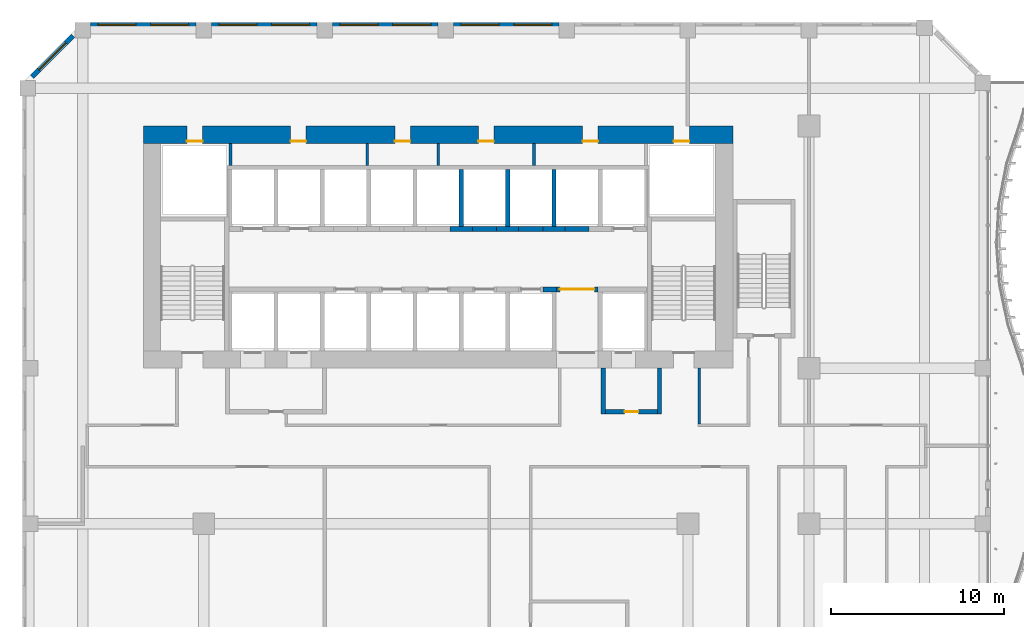
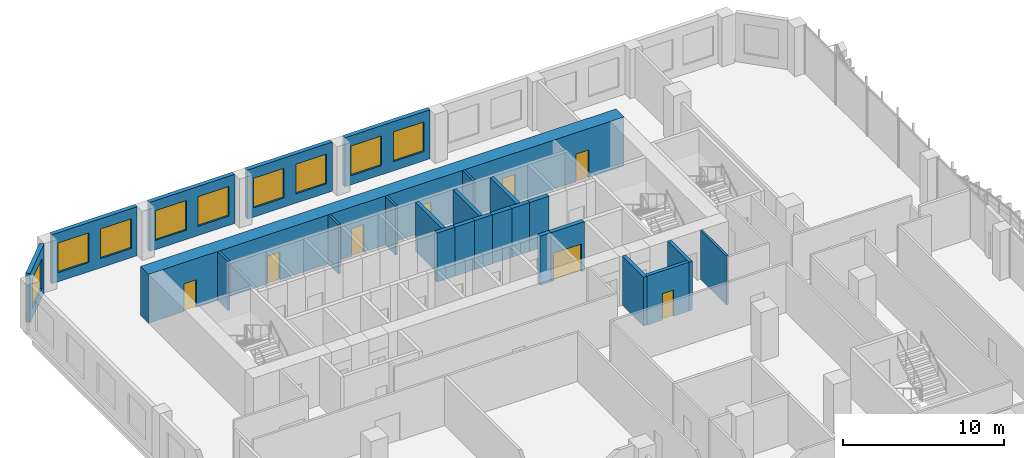
# One storey, part 17 of 29: 25 walls, 9 windows, 8 doors, 17 openings.
"""IFC4 building model written with IfcOpenShell, lengths in metres."""

from ifc_helpers import new_model, si_unit, direction, frame, frame_2d, origin, place, context, subcontext, project, spatial, rectangle, extrude, source, transform, mapped, material, layer, layer_set, type_object, element, fill, save


model = new_model("IFC4")

# Units and contexts
model_context = context("Model", 3, precision=1e-05, world=origin(), true_north=direction((0.0, 1.0)))
body_context = subcontext(model_context, "Body", "Model", "MODEL_VIEW")
ifc_project = project(units=[si_unit("LENGTHUNIT", "METRE"), si_unit("AREAUNIT", "SQUARE_METRE"), si_unit("VOLUMEUNIT", "CUBIC_METRE"), si_unit("PLANEANGLEUNIT", "RADIAN"), si_unit("MASSUNIT", "GRAM", prefix="KILO")], contexts=[model_context])

# Site, building, storey
site_placement = place(None, origin())
site = spatial("IfcSite", under=ifc_project, at=site_placement, CompositionType="ELEMENT")
building_placement = place(site_placement, origin())
building = spatial("IfcBuilding", under=site, at=building_placement, Name="Kilnfold Tower and Market Hall", CompositionType="ELEMENT")
storey_placement = place(building_placement, frame((0.0, 0.0, 79.199951171875)))
storey = spatial("IfcBuildingStorey", under=building, at=storey_placement, Name="L18", CompositionType="ELEMENT", Elevation=79.199951171875)

# Wall
ifc_material_1 = material(Name="Gypsum board on steel studs", Category="steel")
ifc_layer_1 = layer(ifc_material_1, 0.14990234375)
ifc_layer_set_1 = layer_set([ifc_layer_1], Name="Gypsum board on steel studs")
wall_type_1 = type_object("IfcWallType", Name="WALL CORRIDOR 150", PredefinedType="PARTITIONING", material=ifc_layer_set_1)
wall_1_placement = place(storey_placement, frame((16.14990234375, 4.77490234375, 0.0), z_axis=(0.0, 0.0, 1.0), x_axis=(0.0, 1.0, 0.0)))
element("IfcWall", 1, at=wall_1_placement, inside=storey, type_object=wall_type_1, Name="Partition LY13.25", PredefinedType="PARTITIONING", context=body_context, shape_type="SweptSolid", body=[
    extrude(rectangle(XDim=3.22509765625, YDim=0.14990234375, at=frame_2d((1.612548828125, 0.0))), origin(), (0.0, 0.0, 1.0), 3.719970703125),
])

# Wall, openings, doors
ifc_material_2 = material(Name="Concrete C80", Category="concrete")
ifc_layer_2 = layer(ifc_material_2, 1.0)
ifc_layer_set_2 = layer_set([ifc_layer_2], Name="Concrete C80")
wall_type_2 = type_object("IfcWallType", Name="CORE WALL 1000 C80", PredefinedType="SHEAR", material=ifc_layer_set_2)
shared_shape_1 = source(origin(), body_context, "Body", "SweptSolid", [
    extrude(rectangle(XDim=34.10009765625, YDim=1.0, at=frame_2d((17.050048828125, 0.0))), origin(), (0.0, 0.0, 1.0), 3.719970703125),
])
wall_2_placement = place(storey_placement, frame((-16.0, 21.5, 0.0), z_axis=(0.0, 0.0, 1.0), x_axis=(1.0, 0.0, 0.0)))
wall_2 = element("IfcWall", 2, at=wall_2_placement, inside=storey, type_object=wall_type_2, Name="Core outer wall north", PredefinedType="SHEAR", context=body_context, shape_type="MappedRepresentation", body=[
    mapped(shared_shape_1, transform((0.0, 0.0, 0.0))),
])
opening_1_placement = place(wall_2_placement, frame((8.519775390625, 0.0, 0.0)))
opening_1 = element("IfcOpeningElement", 3, at=opening_1_placement, cuts=wall_2, Name="Opening KD1", PredefinedType="OPENING", context=body_context, shape_type="SweptSolid", body=[
    extrude(rectangle(XDim=0.89990234375, YDim=2.10009765625, at=frame_2d((0.449951171875, 1.050048828125))), frame((0.0, 0.510009765625, 0.0), z_axis=(0.0, -1.0, 0.0), x_axis=(1.0, 0.0, 0.0)), (0.0, 0.0, 1.0), 1.02001953125),
])
opening_2_placement = place(wall_2_placement, frame((14.5498046875, 0.0, 0.0)))
opening_2 = element("IfcOpeningElement", 4, at=opening_2_placement, cuts=wall_2, Name="Opening KD1", PredefinedType="OPENING", context=body_context, shape_type="SweptSolid", body=[
    extrude(rectangle(XDim=0.89990234375, YDim=2.10009765625, at=frame_2d((0.449951171875, 1.050048828125))), frame((0.0, 0.510009765625, 0.0), z_axis=(0.0, -1.0, 0.0), x_axis=(1.0, 0.0, 0.0)), (0.0, 0.0, 1.0), 1.02001953125),
])
opening_3_placement = place(wall_2_placement, frame((19.373779296875, 0.0, 0.0)))
opening_3 = element("IfcOpeningElement", 5, at=opening_3_placement, cuts=wall_2, Name="Opening KD1", PredefinedType="OPENING", context=body_context, shape_type="SweptSolid", body=[
    extrude(rectangle(XDim=0.89990234375, YDim=2.10009765625, at=frame_2d((0.449951171875, 1.050048828125))), frame((0.0, 0.510009765625, 0.0), z_axis=(0.0, -1.0, 0.0), x_axis=(1.0, 0.0, 0.0)), (0.0, 0.0, 1.0), 1.02001953125),
])
opening_4_placement = place(wall_2_placement, frame((25.40380859375, 0.0, 0.0)))
opening_4 = element("IfcOpeningElement", 6, at=opening_4_placement, cuts=wall_2, Name="Opening KD1", PredefinedType="OPENING", context=body_context, shape_type="SweptSolid", body=[
    extrude(rectangle(XDim=0.89990234375, YDim=2.10009765625, at=frame_2d((0.449951171875, 1.050048828125))), frame((0.0, 0.510009765625, 0.0), z_axis=(0.0, -1.0, 0.0), x_axis=(1.0, 0.0, 0.0)), (0.0, 0.0, 1.0), 1.02001953125),
])
opening_5_placement = place(wall_2_placement, frame((2.52490234375, 0.0, 0.0)))
opening_5 = element("IfcOpeningElement", 7, at=opening_5_placement, cuts=wall_2, Name="Opening KD1", PredefinedType="OPENING", context=body_context, shape_type="SweptSolid", body=[
    extrude(rectangle(XDim=0.89990234375, YDim=2.10009765625, at=frame_2d((0.449951171875, 1.050048828125))), frame((0.0, 0.510009765625, 0.0), z_axis=(0.0, -1.0, 0.0), x_axis=(1.0, 0.0, 0.0)), (0.0, 0.0, 1.0), 1.02001953125),
])
opening_6_placement = place(wall_2_placement, frame((30.675048828125, 0.0, 0.0)))
opening_6 = element("IfcOpeningElement", 8, at=opening_6_placement, cuts=wall_2, Name="Opening KD1", PredefinedType="OPENING", context=body_context, shape_type="SweptSolid", body=[
    extrude(rectangle(XDim=0.89990234375, YDim=2.10009765625, at=frame_2d((0.449951171875, 1.050048828125))), frame((0.0, 0.510009765625, 0.0), z_axis=(0.0, -1.0, 0.0), x_axis=(1.0, 0.0, 0.0)), (0.0, 0.0, 1.0), 1.02001953125),
])
ifc_material_3 = material(Name="Steel door set with fire-resisting leaf", Category="steel")
door_type_1 = type_object("IfcDoorType", Name="SERVICE DOOR 900X2100", OperationType="NOTDEFINED", PredefinedType="DOOR", material=ifc_material_3)
door_1_placement = place(opening_1_placement, origin())
door_1 = element("IfcDoor", 9, at=door_1_placement, inside=storey, type_object=door_type_1, Name="Core service door", OperationType="SINGLE_SWING_RIGHT", OverallHeight=2.10009765625, OverallWidth=0.89990234375, PredefinedType="DOOR", context=body_context, shape_type="SweptSolid", body=[
    extrude(rectangle(XDim=0.89990234375, YDim=2.10009765625, at=frame_2d((0.449951171875, 1.050048828125))), frame((0.0, -0.35498046875, 0.0), z_axis=(0.0, -1.0, 0.0), x_axis=(1.0, 0.0, 0.0)), (0.0, 0.0, 1.0), 0.050048828125),
])
fill(opening_1, door_1)
door_2_placement = place(opening_2_placement, origin())
door_2 = element("IfcDoor", 10, at=door_2_placement, inside=storey, type_object=door_type_1, Name="Core service door", OperationType="SINGLE_SWING_LEFT", OverallHeight=2.10009765625, OverallWidth=0.89990234375, PredefinedType="DOOR", context=body_context, shape_type="SweptSolid", body=[
    extrude(rectangle(XDim=0.89990234375, YDim=2.10009765625, at=frame_2d((0.449951171875, 1.050048828125))), frame((0.0, -0.35498046875, 0.0), z_axis=(0.0, -1.0, 0.0), x_axis=(1.0, 0.0, 0.0)), (0.0, 0.0, 1.0), 0.050048828125),
])
fill(opening_2, door_2)
door_3_placement = place(opening_3_placement, origin())
door_3 = element("IfcDoor", 11, at=door_3_placement, inside=storey, type_object=door_type_1, Name="Core service door", OperationType="SINGLE_SWING_RIGHT", OverallHeight=2.10009765625, OverallWidth=0.89990234375, PredefinedType="DOOR", context=body_context, shape_type="SweptSolid", body=[
    extrude(rectangle(XDim=0.89990234375, YDim=2.10009765625, at=frame_2d((0.449951171875, 1.050048828125))), frame((0.0, -0.35498046875, 0.0), z_axis=(0.0, -1.0, 0.0), x_axis=(1.0, 0.0, 0.0)), (0.0, 0.0, 1.0), 0.050048828125),
])
fill(opening_3, door_3)
door_4_placement = place(opening_4_placement, origin())
door_4 = element("IfcDoor", 12, at=door_4_placement, inside=storey, type_object=door_type_1, Name="Core service door", OperationType="SINGLE_SWING_LEFT", OverallHeight=2.10009765625, OverallWidth=0.89990234375, PredefinedType="DOOR", context=body_context, shape_type="SweptSolid", body=[
    extrude(rectangle(XDim=0.89990234375, YDim=2.10009765625, at=frame_2d((0.449951171875, 1.050048828125))), frame((0.0, -0.35498046875, 0.0), z_axis=(0.0, -1.0, 0.0), x_axis=(1.0, 0.0, 0.0)), (0.0, 0.0, 1.0), 0.050048828125),
])
fill(opening_4, door_4)
door_5_placement = place(opening_5_placement, origin())
door_5 = element("IfcDoor", 13, at=door_5_placement, inside=storey, type_object=door_type_1, Name="Electrical riser access door", OperationType="SINGLE_SWING_RIGHT", OverallHeight=2.10009765625, OverallWidth=0.89990234375, PredefinedType="DOOR", context=body_context, shape_type="SweptSolid", body=[
    extrude(rectangle(XDim=0.89990234375, YDim=2.10009765625, at=frame_2d((0.449951171875, 1.050048828125))), frame((0.0, -0.35498046875, 0.0), z_axis=(0.0, -1.0, 0.0), x_axis=(1.0, 0.0, 0.0)), (0.0, 0.0, 1.0), 0.050048828125),
])
fill(opening_5, door_5)
door_6_placement = place(opening_6_placement, origin())
door_6 = element("IfcDoor", 14, at=door_6_placement, inside=storey, type_object=door_type_1, Name="Mechanical riser access door", OperationType="SINGLE_SWING_LEFT", OverallHeight=2.10009765625, OverallWidth=0.89990234375, PredefinedType="DOOR", context=body_context, shape_type="SweptSolid", body=[
    extrude(rectangle(XDim=0.89990234375, YDim=2.10009765625, at=frame_2d((0.449951171875, 1.050048828125))), frame((0.0, -0.35498046875, 0.0), z_axis=(0.0, -1.0, 0.0), x_axis=(1.0, 0.0, 0.0)), (0.0, 0.0, 1.0), 0.050048828125),
])
fill(opening_6, door_6)

# Walls
ifc_material_4 = material(Name="Concrete C80", Category="concrete")
ifc_layer_3 = layer(ifc_material_4, 0.300048828125)
ifc_layer_set_3 = layer_set([ifc_layer_3], Name="Concrete C80")
wall_type_3 = type_object("IfcWallType", Name="CORE WALL 300 C80", PredefinedType="SHEAR", material=ifc_layer_set_3)
shared_shape_2 = source(origin(), body_context, "Body", "SweptSolid", [
    extrude(rectangle(XDim=1.280029296875, YDim=0.300048828125, at=frame_2d((0.64013671875, 0.0))), origin(), (0.0, 0.0, 1.0), 3.719970703125),
])
for number, where, z_axis, x_axis, name in (
    (15, (1.75, 16.050048828125, 0.0), (0.0, 0.0, 1.0), (1.0, 0.0, 0.0), "Core spine wall"),
    (16, (4.429931640625, 16.050048828125, 0.0), (0.0, 0.0, 1.0), (1.0, 0.0, 0.0), "Core spine wall"),
):
    element("IfcWall", number, at=place(storey_placement, frame(where, z_axis=z_axis, x_axis=x_axis)), inside=storey, type_object=wall_type_3, Name=name, PredefinedType="SHEAR", context=body_context, shape_type="MappedRepresentation", body=[
        mapped(shared_shape_2, transform((0.0, 0.0, 0.0))),
    ])
shared_shape_3 = source(origin(), body_context, "Body", "SweptSolid", [
    extrude(rectangle(XDim=0.77978515625, YDim=0.300048828125, at=frame_2d((0.389892578125, 0.0))), origin(), (0.0, 0.0, 1.0), 3.719970703125),
])
wall_3_placement = place(storey_placement, frame((7.110107421875, 12.550048828125, 0.0), z_axis=(0.0, 0.0, 1.0), x_axis=(1.0, 0.0, 0.0)))
element("IfcWall", 17, at=wall_3_placement, inside=storey, type_object=wall_type_3, Name="Core spine wall", PredefinedType="SHEAR", context=body_context, shape_type="MappedRepresentation", body=[
    mapped(shared_shape_3, transform((0.0, 0.0, 0.0))),
])
shared_shape_4 = source(origin(), body_context, "Body", "SweptSolid", [
    extrude(rectangle(XDim=1.27978515625, YDim=0.300048828125, at=frame_2d((0.639892578125, 0.0))), origin(), (0.0, 0.0, 1.0), 3.719970703125),
])
wall_4_placement = place(storey_placement, frame((7.110107421875, 16.050048828125, 0.0), z_axis=(0.0, 0.0, 1.0), x_axis=(1.0, 0.0, 0.0)))
element("IfcWall", 18, at=wall_4_placement, inside=storey, type_object=wall_type_3, Name="Core spine wall", PredefinedType="SHEAR", context=body_context, shape_type="MappedRepresentation", body=[
    mapped(shared_shape_4, transform((0.0, 0.0, 0.0))),
])

# Wall, opening, window
ifc_material_5 = material(Name="Precast concrete C50/60", Category="concrete")
ifc_layer_4 = layer(ifc_material_5, 0.300048828125)
ifc_layer_set_4 = layer_set([ifc_layer_4], Name="Precast concrete C50/60")
wall_type_4 = type_object("IfcWallType", Name="PRECAST WALL 300", PredefinedType="SOLIDWALL", material=ifc_layer_set_4)
shared_shape_5 = source(origin(), body_context, "Body", "SweptSolid", [
    extrude(rectangle(XDim=3.35888671875, YDim=0.300048828125, at=frame_2d((1.679443359375, 0.0))), origin(), (0.0, 0.0, 1.0), 3.719970703125),
])
wall_5_placement = place(storey_placement, frame((-20.06884765625, 27.218994140625, 0.0), z_axis=(0.0, 0.0, 1.0), x_axis=(-0.707143122278, -0.707070438228, 0.0)))
wall_5 = element("IfcWall", 19, at=wall_5_placement, inside=storey, type_object=wall_type_4, Name="External wall L18 NW", PredefinedType="SOLIDWALL", context=body_context, shape_type="MappedRepresentation", body=[
    mapped(shared_shape_5, transform((0.0, 0.0, 0.0))),
])
opening_7_placement = place(wall_5_placement, frame((0.579345703125, 0.0, 0.699951171875)))
opening_7 = element("IfcOpeningElement", 20, at=opening_7_placement, cuts=wall_5, Name="Opening W1", PredefinedType="OPENING", context=body_context, shape_type="SweptSolid", body=[
    extrude(rectangle(XDim=2.199951171875, YDim=2.25, at=frame_2d((1.10009765625, 1.125))), frame((0.0, 0.16015625, 0.0), z_axis=(0.0, -1.0, 0.0), x_axis=(1.0, 0.0, 0.0)), (0.0, 0.0, 1.0), 0.320068359375),
])
ifc_material_6 = material(Name="Aluminium frame and double glazing", Category="aluminium")
window_type = type_object("IfcWindowType", Name="WINDOW W1 2200X2250", PartitioningType="SINGLE_PANEL", PredefinedType="WINDOW", material=ifc_material_6)
window_1_placement = place(opening_7_placement, origin())
window_1 = element("IfcWindow", 21, at=window_1_placement, inside=storey, type_object=window_type, Name="Window W1 L18 NW-1", OverallHeight=2.25, OverallWidth=2.199951171875, PartitioningType="SINGLE_PANEL", PredefinedType="WINDOW", context=body_context, shape_type="SweptSolid", body=[
    extrude(rectangle(XDim=2.199951171875, YDim=2.25, at=frame_2d((1.10009765625, 1.125))), frame((0.0, 0.030029296875, 0.0), z_axis=(0.0, -1.0, 0.0), x_axis=(1.0, 0.0, 0.0)), (0.0, 0.0, 1.0), 0.06005859375),
])
fill(opening_7, window_1)

# Wall, openings, windows
shared_shape_6 = source(origin(), body_context, "Body", "SweptSolid", [
    extrude(rectangle(XDim=6.10009765625, YDim=0.300048828125, at=frame_2d((3.050048828125, 0.0))), origin(), (0.0, 0.0, 1.0), 3.719970703125),
])
wall_6_placement = place(storey_placement, frame((8.050048828125, 27.85009765625, 0.0), z_axis=(0.0, 0.0, 1.0), x_axis=(-1.0, 0.0, 0.0)))
wall_6 = element("IfcWall", 22, at=wall_6_placement, inside=storey, type_object=wall_type_4, Name="External wall L18 N", PredefinedType="SOLIDWALL", context=body_context, shape_type="MappedRepresentation", body=[
    mapped(shared_shape_6, transform((0.0, 0.0, 0.0))),
])
opening_8_placement = place(wall_6_placement, frame((0.425048828125, 0.0, 0.699951171875)))
opening_8 = element("IfcOpeningElement", 23, at=opening_8_placement, cuts=wall_6, Name="Opening W1", PredefinedType="OPENING", context=body_context, shape_type="SweptSolid", body=[
    extrude(rectangle(XDim=2.199951171875, YDim=2.25, at=frame_2d((1.10009765625, 1.125))), frame((0.0, 0.16015625, 0.0), z_axis=(0.0, -1.0, 0.0), x_axis=(1.0, 0.0, 0.0)), (0.0, 0.0, 1.0), 0.320068359375),
])
opening_9_placement = place(wall_6_placement, frame((3.47509765625, 0.0, 0.699951171875)))
opening_9 = element("IfcOpeningElement", 24, at=opening_9_placement, cuts=wall_6, Name="Opening W1", PredefinedType="OPENING", context=body_context, shape_type="SweptSolid", body=[
    extrude(rectangle(XDim=2.199951171875, YDim=2.25, at=frame_2d((1.10009765625, 1.125))), frame((0.0, 0.16015625, 0.0), z_axis=(0.0, -1.0, 0.0), x_axis=(1.0, 0.0, 0.0)), (0.0, 0.0, 1.0), 0.320068359375),
])
window_2_placement = place(opening_8_placement, origin())
window_2 = element("IfcWindow", 25, at=window_2_placement, inside=storey, type_object=window_type, Name="Window W1 L18 N-1", OverallHeight=2.25, OverallWidth=2.199951171875, PartitioningType="SINGLE_PANEL", PredefinedType="WINDOW", context=body_context, shape_type="SweptSolid", body=[
    extrude(rectangle(XDim=2.199951171875, YDim=2.25, at=frame_2d((1.10009765625, 1.125))), frame((0.0, 0.030029296875, 0.0), z_axis=(0.0, -1.0, 0.0), x_axis=(1.0, 0.0, 0.0)), (0.0, 0.0, 1.0), 0.06005859375),
])
fill(opening_8, window_2)
window_3_placement = place(opening_9_placement, origin())
window_3 = element("IfcWindow", 26, at=window_3_placement, inside=storey, type_object=window_type, Name="Window W1 L18 N-2", OverallHeight=2.25, OverallWidth=2.199951171875, PartitioningType="SINGLE_PANEL", PredefinedType="WINDOW", context=body_context, shape_type="SweptSolid", body=[
    extrude(rectangle(XDim=2.199951171875, YDim=2.25, at=frame_2d((1.10009765625, 1.125))), frame((0.0, 0.030029296875, 0.0), z_axis=(0.0, -1.0, 0.0), x_axis=(1.0, 0.0, 0.0)), (0.0, 0.0, 1.0), 0.06005859375),
])
fill(opening_9, window_3)

wall_7_placement = place(storey_placement, frame((1.050048828125, 27.85009765625, 0.0), z_axis=(0.0, 0.0, 1.0), x_axis=(-1.0, 0.0, 0.0)))
wall_7 = element("IfcWall", 27, at=wall_7_placement, inside=storey, type_object=wall_type_4, Name="External wall L18 N", PredefinedType="SOLIDWALL", context=body_context, shape_type="MappedRepresentation", body=[
    mapped(shared_shape_6, transform((0.0, 0.0, 0.0))),
])
opening_10_placement = place(wall_7_placement, frame((0.425048828125, 0.0, 0.699951171875)))
opening_10 = element("IfcOpeningElement", 28, at=opening_10_placement, cuts=wall_7, Name="Opening W1", PredefinedType="OPENING", context=body_context, shape_type="SweptSolid", body=[
    extrude(rectangle(XDim=2.199951171875, YDim=2.25, at=frame_2d((1.10009765625, 1.125))), frame((0.0, 0.16015625, 0.0), z_axis=(0.0, -1.0, 0.0), x_axis=(1.0, 0.0, 0.0)), (0.0, 0.0, 1.0), 0.320068359375),
])
opening_11_placement = place(wall_7_placement, frame((3.47509765625, 0.0, 0.699951171875)))
opening_11 = element("IfcOpeningElement", 29, at=opening_11_placement, cuts=wall_7, Name="Opening W1", PredefinedType="OPENING", context=body_context, shape_type="SweptSolid", body=[
    extrude(rectangle(XDim=2.199951171875, YDim=2.25, at=frame_2d((1.10009765625, 1.125))), frame((0.0, 0.16015625, 0.0), z_axis=(0.0, -1.0, 0.0), x_axis=(1.0, 0.0, 0.0)), (0.0, 0.0, 1.0), 0.320068359375),
])
window_4_placement = place(opening_10_placement, origin())
window_4 = element("IfcWindow", 30, at=window_4_placement, inside=storey, type_object=window_type, Name="Window W1 L18 N-1", OverallHeight=2.25, OverallWidth=2.199951171875, PartitioningType="SINGLE_PANEL", PredefinedType="WINDOW", context=body_context, shape_type="SweptSolid", body=[
    extrude(rectangle(XDim=2.199951171875, YDim=2.25, at=frame_2d((1.10009765625, 1.125))), frame((0.0, 0.030029296875, 0.0), z_axis=(0.0, -1.0, 0.0), x_axis=(1.0, 0.0, 0.0)), (0.0, 0.0, 1.0), 0.06005859375),
])
fill(opening_10, window_4)
window_5_placement = place(opening_11_placement, origin())
window_5 = element("IfcWindow", 31, at=window_5_placement, inside=storey, type_object=window_type, Name="Window W1 L18 N-2", OverallHeight=2.25, OverallWidth=2.199951171875, PartitioningType="SINGLE_PANEL", PredefinedType="WINDOW", context=body_context, shape_type="SweptSolid", body=[
    extrude(rectangle(XDim=2.199951171875, YDim=2.25, at=frame_2d((1.10009765625, 1.125))), frame((0.0, 0.030029296875, 0.0), z_axis=(0.0, -1.0, 0.0), x_axis=(1.0, 0.0, 0.0)), (0.0, 0.0, 1.0), 0.06005859375),
])
fill(opening_11, window_5)

wall_8_placement = place(storey_placement, frame((-5.949951171875, 27.85009765625, 0.0), z_axis=(0.0, 0.0, 1.0), x_axis=(-1.0, 0.0, 0.0)))
wall_8 = element("IfcWall", 32, at=wall_8_placement, inside=storey, type_object=wall_type_4, Name="External wall L18 N", PredefinedType="SOLIDWALL", context=body_context, shape_type="MappedRepresentation", body=[
    mapped(shared_shape_6, transform((0.0, 0.0, 0.0))),
])
opening_12_placement = place(wall_8_placement, frame((0.425048828125, 0.0, 0.699951171875)))
opening_12 = element("IfcOpeningElement", 33, at=opening_12_placement, cuts=wall_8, Name="Opening W1", PredefinedType="OPENING", context=body_context, shape_type="SweptSolid", body=[
    extrude(rectangle(XDim=2.199951171875, YDim=2.25, at=frame_2d((1.10009765625, 1.125))), frame((0.0, 0.16015625, 0.0), z_axis=(0.0, -1.0, 0.0), x_axis=(1.0, 0.0, 0.0)), (0.0, 0.0, 1.0), 0.320068359375),
])
opening_13_placement = place(wall_8_placement, frame((3.47509765625, 0.0, 0.699951171875)))
opening_13 = element("IfcOpeningElement", 34, at=opening_13_placement, cuts=wall_8, Name="Opening W1", PredefinedType="OPENING", context=body_context, shape_type="SweptSolid", body=[
    extrude(rectangle(XDim=2.199951171875, YDim=2.25, at=frame_2d((1.10009765625, 1.125))), frame((0.0, 0.16015625, 0.0), z_axis=(0.0, -1.0, 0.0), x_axis=(1.0, 0.0, 0.0)), (0.0, 0.0, 1.0), 0.320068359375),
])
window_6_placement = place(opening_12_placement, origin())
window_6 = element("IfcWindow", 35, at=window_6_placement, inside=storey, type_object=window_type, Name="Window W1 L18 N-1", OverallHeight=2.25, OverallWidth=2.199951171875, PartitioningType="SINGLE_PANEL", PredefinedType="WINDOW", context=body_context, shape_type="SweptSolid", body=[
    extrude(rectangle(XDim=2.199951171875, YDim=2.25, at=frame_2d((1.10009765625, 1.125))), frame((0.0, 0.030029296875, 0.0), z_axis=(0.0, -1.0, 0.0), x_axis=(1.0, 0.0, 0.0)), (0.0, 0.0, 1.0), 0.06005859375),
])
fill(opening_12, window_6)
window_7_placement = place(opening_13_placement, origin())
window_7 = element("IfcWindow", 36, at=window_7_placement, inside=storey, type_object=window_type, Name="Window W1 L18 N-2", OverallHeight=2.25, OverallWidth=2.199951171875, PartitioningType="SINGLE_PANEL", PredefinedType="WINDOW", context=body_context, shape_type="SweptSolid", body=[
    extrude(rectangle(XDim=2.199951171875, YDim=2.25, at=frame_2d((1.10009765625, 1.125))), frame((0.0, 0.030029296875, 0.0), z_axis=(0.0, -1.0, 0.0), x_axis=(1.0, 0.0, 0.0)), (0.0, 0.0, 1.0), 0.06005859375),
])
fill(opening_13, window_7)

wall_9_placement = place(storey_placement, frame((-12.949951171875, 27.85009765625, 0.0), z_axis=(0.0, 0.0, 1.0), x_axis=(-1.0, 0.0, 0.0)))
wall_9 = element("IfcWall", 37, at=wall_9_placement, inside=storey, type_object=wall_type_4, Name="External wall L18 N", PredefinedType="SOLIDWALL", context=body_context, shape_type="MappedRepresentation", body=[
    mapped(shared_shape_6, transform((0.0, 0.0, 0.0))),
])
opening_14_placement = place(wall_9_placement, frame((0.425048828125, 0.0, 0.699951171875)))
opening_14 = element("IfcOpeningElement", 38, at=opening_14_placement, cuts=wall_9, Name="Opening W1", PredefinedType="OPENING", context=body_context, shape_type="SweptSolid", body=[
    extrude(rectangle(XDim=2.199951171875, YDim=2.25, at=frame_2d((1.10009765625, 1.125))), frame((0.0, 0.16015625, 0.0), z_axis=(0.0, -1.0, 0.0), x_axis=(1.0, 0.0, 0.0)), (0.0, 0.0, 1.0), 0.320068359375),
])
opening_15_placement = place(wall_9_placement, frame((3.47509765625, 0.0, 0.699951171875)))
opening_15 = element("IfcOpeningElement", 39, at=opening_15_placement, cuts=wall_9, Name="Opening W1", PredefinedType="OPENING", context=body_context, shape_type="SweptSolid", body=[
    extrude(rectangle(XDim=2.199951171875, YDim=2.25, at=frame_2d((1.10009765625, 1.125))), frame((0.0, 0.16015625, 0.0), z_axis=(0.0, -1.0, 0.0), x_axis=(1.0, 0.0, 0.0)), (0.0, 0.0, 1.0), 0.320068359375),
])
window_8_placement = place(opening_14_placement, origin())
window_8 = element("IfcWindow", 40, at=window_8_placement, inside=storey, type_object=window_type, Name="Window W1 L18 N-1", OverallHeight=2.25, OverallWidth=2.199951171875, PartitioningType="SINGLE_PANEL", PredefinedType="WINDOW", context=body_context, shape_type="SweptSolid", body=[
    extrude(rectangle(XDim=2.199951171875, YDim=2.25, at=frame_2d((1.10009765625, 1.125))), frame((0.0, 0.030029296875, 0.0), z_axis=(0.0, -1.0, 0.0), x_axis=(1.0, 0.0, 0.0)), (0.0, 0.0, 1.0), 0.06005859375),
])
fill(opening_14, window_8)
window_9_placement = place(opening_15_placement, origin())
window_9 = element("IfcWindow", 41, at=window_9_placement, inside=storey, type_object=window_type, Name="Window W1 L18 N-2", OverallHeight=2.25, OverallWidth=2.199951171875, PartitioningType="SINGLE_PANEL", PredefinedType="WINDOW", context=body_context, shape_type="SweptSolid", body=[
    extrude(rectangle(XDim=2.199951171875, YDim=2.25, at=frame_2d((1.10009765625, 1.125))), frame((0.0, 0.030029296875, 0.0), z_axis=(0.0, -1.0, 0.0), x_axis=(1.0, 0.0, 0.0)), (0.0, 0.0, 1.0), 0.06005859375),
])
fill(opening_15, window_9)

# Walls
ifc_material_7 = material(Name="Gypsum shaft wall system")
ifc_layer_5 = layer(ifc_material_7, 0.300048828125)
ifc_layer_set_5 = layer_set([ifc_layer_5], Name="Gypsum shaft wall system")
wall_type_5 = type_object("IfcWallType", Name="SHAFT WALL 300", PredefinedType="PARTITIONING", material=ifc_layer_set_5)
shared_shape_7 = source(origin(), body_context, "Body", "SweptSolid", [
    extrude(rectangle(XDim=1.39990234375, YDim=0.300048828125, at=frame_2d((0.699951171875, 0.0))), origin(), (0.0, 0.0, 1.0), 3.719970703125),
])
wall_10_placement = place(storey_placement, frame((3.030029296875, 16.050048828125, 0.0), z_axis=(0.0, 0.0, 1.0), x_axis=(1.0, 0.0, 0.0)))
element("IfcWall", 42, at=wall_10_placement, inside=storey, type_object=wall_type_5, Name="Lift shaft front wall", PredefinedType="PARTITIONING", context=body_context, shape_type="MappedRepresentation", body=[
    mapped(shared_shape_7, transform((0.0, 0.0, 0.0))),
])
shared_shape_8 = source(origin(), body_context, "Body", "SweptSolid", [
    extrude(rectangle(XDim=1.400146484375, YDim=0.300048828125, at=frame_2d((0.7001953125, 0.0))), origin(), (0.0, 0.0, 1.0), 3.719970703125),
])
for number, where, z_axis, x_axis, name in (
    (43, (5.7099609375, 16.050048828125, 0.0), (0.0, 0.0, 1.0), (1.0, 0.0, 0.0), "Lift shaft front wall"),
    (44, (8.389892578125, 16.050048828125, 0.0), (0.0, 0.0, 1.0), (1.0, 0.0, 0.0), "Lift shaft front wall"),
):
    element("IfcWall", number, at=place(storey_placement, frame(where, z_axis=z_axis, x_axis=x_axis)), inside=storey, type_object=wall_type_5, Name=name, PredefinedType="PARTITIONING", context=body_context, shape_type="MappedRepresentation", body=[
        mapped(shared_shape_8, transform((0.0, 0.0, 0.0))),
    ])

# Wall, opening, door
shared_shape_9 = source(origin(), body_context, "Body", "SweptSolid", [
    extrude(rectangle(XDim=2.400146484375, YDim=0.300048828125, at=frame_2d((1.2001953125, 0.0))), origin(), (0.0, 0.0, 1.0), 3.719970703125),
])
wall_11_placement = place(storey_placement, frame((7.889892578125, 12.550048828125, 0.0), z_axis=(0.0, 0.0, 1.0), x_axis=(1.0, 0.0, 0.0)))
wall_11 = element("IfcWall", 45, at=wall_11_placement, inside=storey, type_object=wall_type_5, Name="Lift shaft front wall", PredefinedType="PARTITIONING", context=body_context, shape_type="MappedRepresentation", body=[
    mapped(shared_shape_9, transform((0.0, 0.0, 0.0))),
])
opening_16_placement = place(wall_11_placement, frame((0.199951171875, 0.0, 0.0)))
opening_16 = element("IfcOpeningElement", 46, at=opening_16_placement, cuts=wall_11, Name="Opening VD2", PredefinedType="OPENING", context=body_context, shape_type="SweptSolid", body=[
    extrude(rectangle(XDim=2.0, YDim=2.10009765625, at=frame_2d((1.0, 1.050048828125))), frame((0.0, 0.16015625, 0.0), z_axis=(0.0, -1.0, 0.0), x_axis=(1.0, 0.0, 0.0)), (0.0, 0.0, 1.0), 0.320068359375),
])
ifc_material_8 = material(Name="Steel door set with fire-resisting leaf", Category="steel")
door_type_2 = type_object("IfcDoorType", Name="LIFT LOBBY ENTRANCE DOOR 2000X2100", OperationType="NOTDEFINED", PredefinedType="DOOR", material=ifc_material_8)
door_7_placement = place(opening_16_placement, origin())
door_7 = element("IfcDoor", 47, at=door_7_placement, inside=storey, type_object=door_type_2, Name="Lift lobby entrance door", OperationType="DOUBLE_DOOR_SINGLE_SWING", OverallHeight=2.10009765625, OverallWidth=2.0, PredefinedType="DOOR", context=body_context, shape_type="SweptSolid", body=[
    extrude(rectangle(XDim=2.0, YDim=2.10009765625, at=frame_2d((1.0, 1.050048828125))), frame((0.0, 0.02490234375, 0.0), z_axis=(0.0, -1.0, 0.0), x_axis=(1.0, 0.0, 0.0)), (0.0, 0.0, 1.0), 0.050048828125),
])
fill(opening_16, door_7)

# Walls
ifc_material_9 = material(Name="Gypsum shaft wall system")
ifc_layer_6 = layer(ifc_material_9, 0.25)
ifc_layer_set_6 = layer_set([ifc_layer_6], Name="Gypsum shaft wall system")
wall_type_6 = type_object("IfcWallType", Name="LOBBY WALL 250", PredefinedType="PARTITIONING", material=ifc_layer_set_6)
shared_shape_10 = source(origin(), body_context, "Body", "SweptSolid", [
    extrude(rectangle(XDim=2.64990234375, YDim=0.25, at=frame_2d((1.324951171875, 0.0))), origin(), (0.0, 0.0, 1.0), 3.719970703125),
])
for number, where, z_axis, x_axis, name in (
    (48, (10.60498046875, 5.35009765625, 0.0), (0.0, 0.0, 1.0), (0.0, 1.0, 0.0), "Firefighting lobby wall"),
    (49, (13.85498046875, 5.35009765625, 0.0), (0.0, 0.0, 1.0), (0.0, 1.0, 0.0), "Firefighting lobby wall"),
):
    element("IfcWall", number, at=place(storey_placement, frame(where, z_axis=z_axis, x_axis=x_axis)), inside=storey, type_object=wall_type_6, Name=name, PredefinedType="PARTITIONING", context=body_context, shape_type="MappedRepresentation", body=[
        mapped(shared_shape_10, transform((0.0, 0.0, 0.0))),
    ])

# Wall, opening, door
shared_shape_11 = source(origin(), body_context, "Body", "SweptSolid", [
    extrude(rectangle(XDim=3.0, YDim=0.25, at=frame_2d((1.5, 0.0))), origin(), (0.0, 0.0, 1.0), 3.719970703125),
])
wall_12_placement = place(storey_placement, frame((10.72998046875, 5.47509765625, 0.0), z_axis=(0.0, 0.0, 1.0), x_axis=(1.0, 0.0, 0.0)))
wall_12 = element("IfcWall", 50, at=wall_12_placement, inside=storey, type_object=wall_type_6, Name="Firefighting lobby wall", PredefinedType="PARTITIONING", context=body_context, shape_type="MappedRepresentation", body=[
    mapped(shared_shape_11, transform((0.0, 0.0, 0.0))),
])
opening_17_placement = place(wall_12_placement, frame((1.10009765625, 0.0, 0.0)))
opening_17 = element("IfcOpeningElement", 51, at=opening_17_placement, cuts=wall_12, Name="Opening VD1", PredefinedType="OPENING", context=body_context, shape_type="SweptSolid", body=[
    extrude(rectangle(XDim=0.800048828125, YDim=2.0, at=frame_2d((0.39990234375, 1.0))), frame((0.0, 0.135009765625, 0.0), z_axis=(0.0, -1.0, 0.0), x_axis=(1.0, 0.0, 0.0)), (0.0, 0.0, 1.0), 0.27001953125),
])
ifc_material_10 = material(Name="Steel door set with fire-resisting leaf", Category="steel")
door_type_3 = type_object("IfcDoorType", Name="FIREFIGHTING LOBBY DOOR 800X2000", OperationType="NOTDEFINED", PredefinedType="DOOR", material=ifc_material_10)
door_8_placement = place(opening_17_placement, origin())
door_8 = element("IfcDoor", 52, at=door_8_placement, inside=storey, type_object=door_type_3, Name="Firefighting lobby door", OperationType="SINGLE_SWING_RIGHT", OverallHeight=2.0, OverallWidth=0.800048828125, PredefinedType="DOOR", context=body_context, shape_type="SweptSolid", body=[
    extrude(rectangle(XDim=0.800048828125, YDim=2.0, at=frame_2d((0.39990234375, 1.0))), frame((0.0, 0.02490234375, 0.0), z_axis=(0.0, -1.0, 0.0), x_axis=(1.0, 0.0, 0.0)), (0.0, 0.0, 1.0), 0.050048828125),
])
fill(opening_17, door_8)

# Walls
ifc_material_11 = material(Name="Gypsum shaft wall system")
ifc_layer_7 = layer(ifc_material_11, 0.1650390625)
ifc_layer_set_7 = layer_set([ifc_layer_7], Name="Gypsum shaft wall system")
wall_type_7 = type_object("IfcWallType", Name="SHAFT WALL 165", PredefinedType="PARTITIONING", material=ifc_layer_set_7)
shared_shape_12 = source(origin(), body_context, "Body", "SweptSolid", [
    extrude(rectangle(XDim=1.27490234375, YDim=0.1650390625, at=frame_2d((0.637451171875, 0.0))), origin(), (0.0, 0.0, 1.0), 3.719970703125),
])
wall_13_placement = place(storey_placement, frame((-10.967529296875, 19.72509765625, 0.0), z_axis=(0.0, 0.0, 1.0), x_axis=(0.0, 1.0, 0.0)))
element("IfcWall", 53, at=wall_13_placement, inside=storey, type_object=wall_type_7, Name="Lift shaft wall", PredefinedType="PARTITIONING", context=body_context, shape_type="MappedRepresentation", body=[
    mapped(shared_shape_12, transform((0.0, 0.0, 0.0))),
])
ifc_material_12 = material(Name="Gypsum shaft wall system")
ifc_layer_8 = layer(ifc_material_12, 0.25)
ifc_layer_set_8 = layer_set([ifc_layer_8], Name="Gypsum shaft wall system")
wall_type_8 = type_object("IfcWallType", Name="SHAFT WALL 250", PredefinedType="PARTITIONING", material=ifc_layer_set_8)
shared_shape_13 = source(origin(), body_context, "Body", "SweptSolid", [
    extrude(rectangle(XDim=3.275146484375, YDim=0.25, at=frame_2d((1.6376953125, 0.0))), origin(), (0.0, 0.0, 1.0), 3.719970703125),
])
for number, where, z_axis, x_axis, name in (
    (54, (2.389892578125, 16.199951171875, 0.0), (0.0, 0.0, 1.0), (0.0, 1.0, 0.0), "Lift shaft wall"),
    (55, (5.070068359375, 16.199951171875, 0.0), (0.0, 0.0, 1.0), (0.0, 1.0, 0.0), "Lift shaft wall"),
    (56, (7.75, 16.199951171875, 0.0), (0.0, 0.0, 1.0), (0.0, 1.0, 0.0), "Lift shaft wall"),
):
    element("IfcWall", number, at=place(storey_placement, frame(where, z_axis=z_axis, x_axis=x_axis)), inside=storey, type_object=wall_type_8, Name=name, PredefinedType="PARTITIONING", context=body_context, shape_type="MappedRepresentation", body=[
        mapped(shared_shape_13, transform((0.0, 0.0, 0.0))),
    ])
ifc_material_13 = material(Name="Gypsum shaft wall system")
ifc_layer_9 = layer(ifc_material_13, 0.14990234375)
ifc_layer_set_9 = layer_set([ifc_layer_9], Name="Gypsum shaft wall system")
wall_type_9 = type_object("IfcWallType", Name="ROOM WALL 150", PredefinedType="PARTITIONING", material=ifc_layer_set_9)
shared_shape_14 = source(origin(), body_context, "Body", "SweptSolid", [
    extrude(rectangle(XDim=1.27490234375, YDim=0.14990234375, at=frame_2d((0.637451171875, 0.0))), origin(), (0.0, 0.0, 1.0), 3.719970703125),
])
for number, where, z_axis, x_axis, name in (
    (57, (-3.05029296875, 19.72509765625, 0.0), (0.0, 0.0, 1.0), (0.0, 1.0, 0.0), "Core room wall"),
    (58, (1.050048828125, 19.72509765625, 0.0), (0.0, 0.0, 1.0), (0.0, 1.0, 0.0), "Core room wall"),
    (59, (6.59765625, 19.72509765625, 0.0), (0.0, 0.0, 1.0), (0.0, 1.0, 0.0), "Core room wall"),
):
    element("IfcWall", number, at=place(storey_placement, frame(where, z_axis=z_axis, x_axis=x_axis)), inside=storey, type_object=wall_type_9, Name=name, PredefinedType="PARTITIONING", context=body_context, shape_type="MappedRepresentation", body=[
        mapped(shared_shape_14, transform((0.0, 0.0, 0.0))),
    ])

save(model, "model.ifc")
